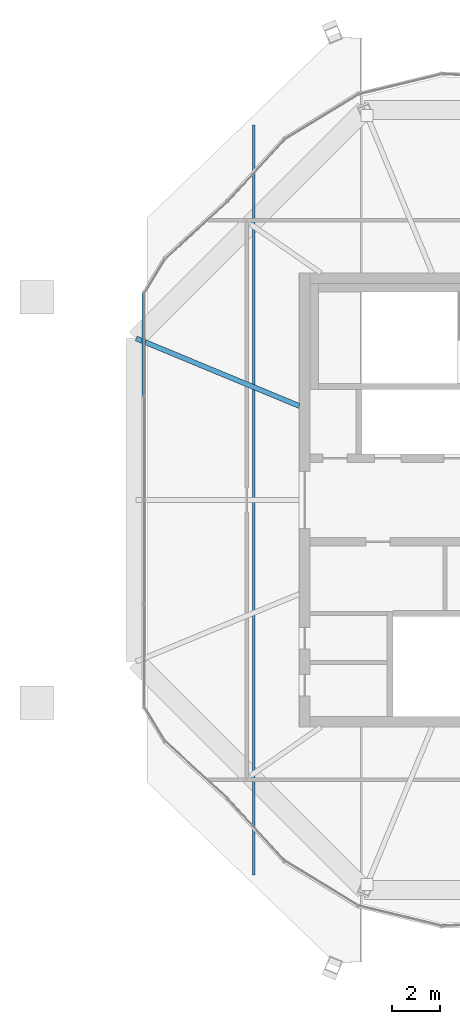
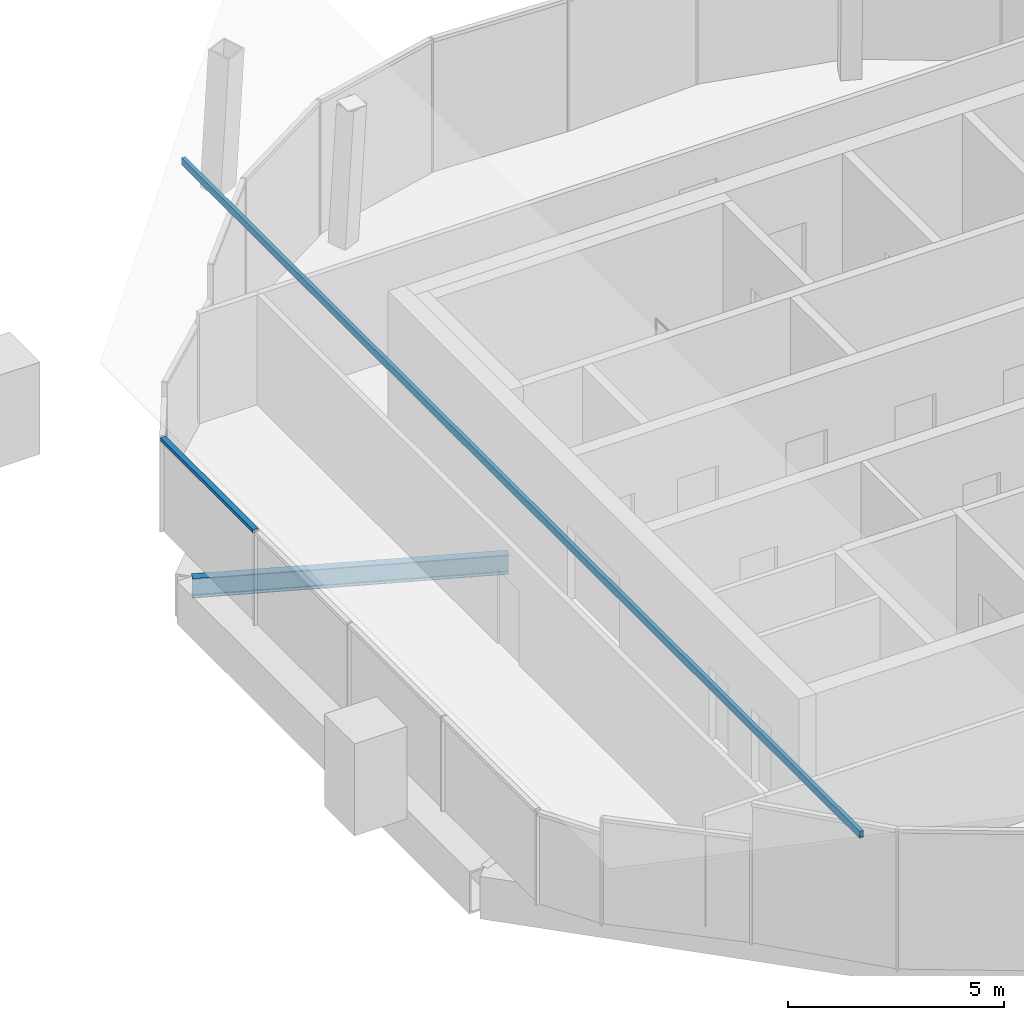
# One storey, part 5 of 23: 2 members, 1 beam, 1 element without a shape of its own.
"""IFC4 building model written with IfcOpenShell, lengths in metres."""

from ifc_helpers import new_model, si_unit, direction, frame, origin, origin_2d, place, context, subcontext, project, spatial, rectangle, hollow_rectangle, i_section, extrude, material, material_profile, profile_set, type_object, element, aggregate, save


model = new_model("IFC4")

# Units and contexts
model_context = context("Model", 3, precision=1e-05, world=origin(), true_north=direction((0.0, 1.0)))
body_context = subcontext(model_context, "Body", "Model", "MODEL_VIEW")
ifc_project = project(units=[si_unit("LENGTHUNIT", "METRE"), si_unit("AREAUNIT", "SQUARE_METRE"), si_unit("VOLUMEUNIT", "CUBIC_METRE"), si_unit("PLANEANGLEUNIT", "RADIAN"), si_unit("MASSUNIT", "GRAM", prefix="KILO")], contexts=[model_context])

# Site, building, storey
site_placement = place(None, origin())
site = spatial("IfcSite", under=ifc_project, at=site_placement, CompositionType="ELEMENT")
building_placement = place(site_placement, origin())
building = spatial("IfcBuilding", under=site, at=building_placement, Name="Ogive Gate Towers", CompositionType="ELEMENT")
storey_placement = place(building_placement, frame((0.0, 0.0, 302.0)))
storey = spatial("IfcBuildingStorey", under=building, at=storey_placement, Name="L71", CompositionType="ELEMENT", Elevation=302.0)

# Curtain wall, member
ifc_material_1 = material(Name="Pale metal aluminium", Category="aluminium")
curtain_wall_type = type_object("IfcCurtainWallType", Name="Crown lean wall", PredefinedType="NOTDEFINED", material=ifc_material_1)
curtain_wall_placement = place(storey_placement, origin())
curtain_wall = element("IfcCurtainWall", 1, at=curtain_wall_placement, inside=storey, type_object=curtain_wall_type, Name="CW5 T1 ECW04b", PredefinedType="NOTDEFINED")
ifc_material_profile_1 = material_profile(ifc_material_1, rectangle(XDim=0.139892578125, YDim=0.10009765625, at=origin_2d()), Name="100 x 140 aluminium box")
ifc_profile_set_1 = profile_set([ifc_material_profile_1], Name="Pale metal aluminium")
member_type_1 = type_object("IfcMemberType", Name="Crown lean wall transom 100 x 140", PredefinedType="USERDEFINED", material=ifc_profile_set_1)
member_1_placement = place(storey_placement, frame((-52.00048828125, 4.35888671875, 2.330078125), z_axis=(0.0, 1.0, 0.0), x_axis=(-1.0, 0.0, 0.0)))
member_1 = element("IfcMember", 2, at=member_1_placement, type_object=member_type_1, Name="CW5 transom", ObjectType="TRANSOM", PredefinedType="USERDEFINED", context=body_context, shape_type="SweptSolid", body=[
    extrude(rectangle(XDim=0.139892578125, YDim=0.10009765625, at=origin_2d()), origin(), (0.0, 0.0, 1.0), 4.28369140625),
])
aggregate(curtain_wall, [member_1])

# Member
ifc_material_2 = material(Name="Steel SM460", Category="steel")
ifc_material_profile_2 = material_profile(ifc_material_2, hollow_rectangle(XDim=0.10009765625, YDim=0.199951171875, WallThickness=0.008056640625, at=origin_2d()), Name="RHS 200x100x8")
ifc_profile_set_2 = profile_set([ifc_material_profile_2], Name="Steel SM460")
member_type_2 = type_object("IfcMemberType", Name="Crown roof purlin RHS 200 x 100", PredefinedType="PURLIN", material=ifc_profile_set_2)
member_2_placement = place(storey_placement, frame((-47.39990234375, -15.681884765625, 4.300048828125), z_axis=(0.0, 1.0, 0.0), x_axis=(-1.0, 0.0, 0.0)))
element("IfcMember", 3, at=member_2_placement, inside=storey, type_object=member_type_2, Name="Crown roof purlin", PredefinedType="PURLIN", context=body_context, shape_type="SweptSolid", body=[
    extrude(hollow_rectangle(XDim=0.10009765625, YDim=0.199951171875, WallThickness=0.008056640625, at=origin_2d()), origin(), (0.0, 0.0, 1.0), 31.36376953125),
])

# Beam
ifc_material_3 = material(Name="Steel SM355", Category="steel")
ifc_material_profile_3 = material_profile(ifc_material_3, i_section(OverallWidth=0.2099609375, OverallDepth=0.550048828125, WebThickness=0.010986328125, FlangeThickness=0.01708984375, FilletRadius=0.02392578125, at=origin_2d()), Name="IPE 550")
ifc_profile_set_3 = profile_set([ifc_material_profile_3], Name="Steel SM355")
beam_type = type_object("IfcBeamType", Name="Radial floor beam IPE 550", PredefinedType="BEAM", material=ifc_profile_set_3)
beam_placement = place(storey_placement, frame((-45.5, 3.93505859375, -0.574951171875), z_axis=(-0.923885028825, 0.38267016282, 0.0), x_axis=(-0.38267016282, -0.923885028825, 0.0)))
element("IfcBeam", 4, at=beam_placement, inside=storey, type_object=beam_type, Name="T1/L71/SBM015", PredefinedType="BEAM", context=body_context, shape_type="SweptSolid", body=[
    extrude(i_section(OverallWidth=0.2099609375, OverallDepth=0.550048828125, WebThickness=0.010986328125, FlangeThickness=0.01708984375, FilletRadius=0.02392578125, at=origin_2d()), origin(), (0.0, 0.0, 1.0), 7.38232421875),
])

save(model, "model.ifc")
